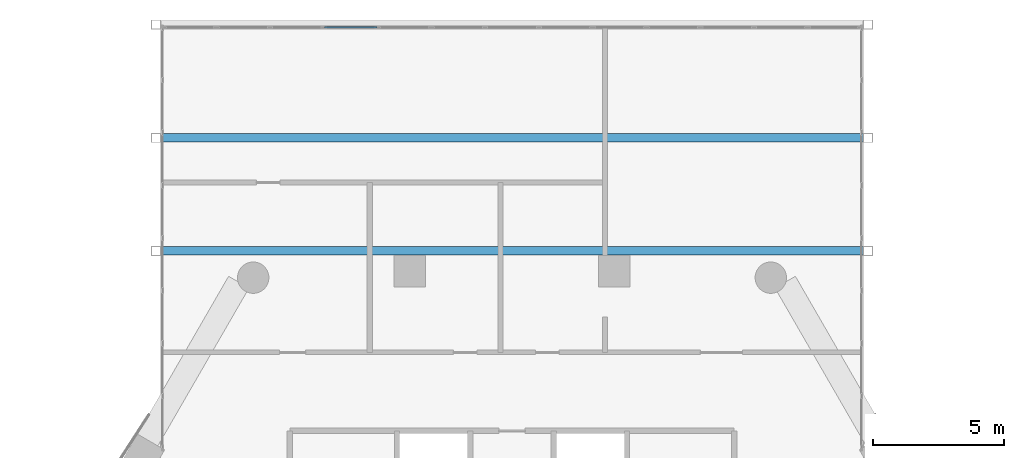
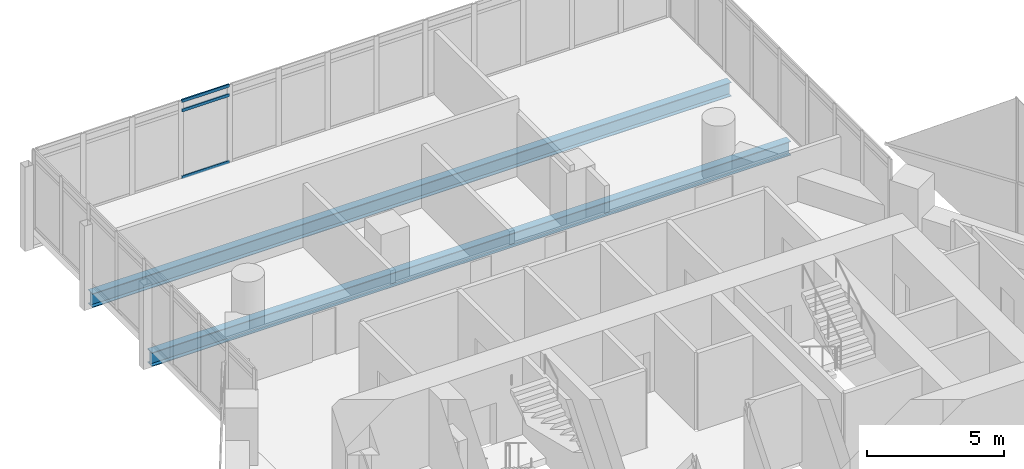
# One storey, part 17 of 36: 3 members, 2 beams, 1 element without a shape of its own.
"""IFC4 building model written with IfcOpenShell, lengths in metres."""

from ifc_helpers import new_model, si_unit, direction, frame, origin, origin_2d, place, context, subcontext, project, spatial, hollow_rectangle, i_section, extrude, material, material_profile, profile_set, type_object, element, aggregate, save


model = new_model("IFC4")

# Units and contexts
model_context = context("Model", 3, precision=1e-05, world=origin(), true_north=direction((0.0, 1.0)))
body_context = subcontext(model_context, "Body", "Model", "MODEL_VIEW")
ifc_project = project(units=[si_unit("LENGTHUNIT", "METRE"), si_unit("AREAUNIT", "SQUARE_METRE"), si_unit("VOLUMEUNIT", "CUBIC_METRE"), si_unit("PLANEANGLEUNIT", "RADIAN"), si_unit("MASSUNIT", "GRAM", prefix="KILO")], contexts=[model_context])

# Site, building, storey
site_placement = place(None, origin())
site = spatial("IfcSite", under=ifc_project, at=site_placement, CompositionType="ELEMENT")
building_placement = place(site_placement, origin())
building = spatial("IfcBuilding", under=site, at=building_placement, Name="Ostrander Bayou Hotel Tower", CompositionType="ELEMENT")
storey_placement = place(building_placement, frame((0.0, 0.0, 138.5)))
storey = spatial("IfcBuildingStorey", under=building, at=storey_placement, Name="L34", CompositionType="ELEMENT", Elevation=138.5)

# Curtain wall, members
ifc_material_1 = material(Name="Aluminium and clear glass", Category="aluminium")
curtain_wall_type = type_object("IfcCurtainWallType", Name="CW-BAR glazed wall", PredefinedType="NOTDEFINED", material=ifc_material_1)
curtain_wall_placement = place(storey_placement, origin())
curtain_wall = element("IfcCurtainWall", 1, at=curtain_wall_placement, inside=storey, type_object=curtain_wall_type, Name="CW-BAR L34:SB3N:T", PredefinedType="NOTDEFINED")
ifc_material_2 = material(Name="Aluminium", Category="aluminium")
ifc_material_profile_1 = material_profile(ifc_material_2, hollow_rectangle(XDim=0.06005859375, YDim=0.1298828125, WallThickness=0.00390625, at=origin_2d()))
ifc_profile_set_1 = profile_set([ifc_material_profile_1], Name="Aluminium")
member_type = type_object("IfcMemberType", Name="CW-BR transom 60 x 130 mm", PredefinedType="USERDEFINED", material=ifc_profile_set_1)
member_1_placement = place(storey_placement, frame((-7.167724609375, 29.037109375, 0.030029296875), z_axis=(1.0, 0.0, 0.0), x_axis=(0.0, 1.0, 0.0)))
member_1 = element("IfcMember", 2, at=member_1_placement, type_object=member_type, Name="CW-BAR transom 4.1", ObjectType="TRANSOM", PredefinedType="USERDEFINED", context=body_context, shape_type="SweptSolid", body=[
    extrude(hollow_rectangle(XDim=0.06005859375, YDim=0.1298828125, WallThickness=0.00390625, at=origin_2d()), origin(), (0.0, 0.0, 1.0), 1.99658203125),
])
member_2_placement = place(storey_placement, frame((-7.167724609375, 29.037109375, 3.0), z_axis=(1.0, 0.0, 0.0), x_axis=(0.0, 1.0, 0.0)))
member_2 = element("IfcMember", 3, at=member_2_placement, type_object=member_type, Name="CW-BAR transom 4.2", ObjectType="TRANSOM", PredefinedType="USERDEFINED", context=body_context, shape_type="SweptSolid", body=[
    extrude(hollow_rectangle(XDim=0.06005859375, YDim=0.1298828125, WallThickness=0.00390625, at=origin_2d()), origin(), (0.0, 0.0, 1.0), 1.99658203125),
])
member_3_placement = place(storey_placement, frame((-7.167724609375, 29.037109375, 3.419921875), z_axis=(1.0, 0.0, 0.0), x_axis=(0.0, 1.0, 0.0)))
member_3 = element("IfcMember", 4, at=member_3_placement, type_object=member_type, Name="CW-BAR transom 4.3", ObjectType="TRANSOM", PredefinedType="USERDEFINED", context=body_context, shape_type="SweptSolid", body=[
    extrude(hollow_rectangle(XDim=0.06005859375, YDim=0.1298828125, WallThickness=0.00390625, at=origin_2d()), origin(), (0.0, 0.0, 1.0), 1.99658203125),
])
aggregate(curtain_wall, [member_1, member_2, member_3])

# Beams
ifc_material_3 = material(Name="Steel ASTM A992", Category="steel")
ifc_material_profile_2 = material_profile(ifc_material_3, i_section(OverallWidth=0.32763671875, OverallDepth=0.621826171875, WebThickness=0.015380859375, FlangeThickness=0.0244140625, at=origin_2d()))
ifc_profile_set_2 = profile_set([ifc_material_profile_2], Name="Steel ASTM A992")
beam_type = type_object("IfcBeamType", Name="TF1 bar floor beam W24x131", PredefinedType="BEAM", material=ifc_profile_set_2)
for number, where, z_axis, x_axis, name in (
    (5, (-13.442138671875, 24.809326171875, -0.61083984375), (1.0, 0.0, 0.0), (0.0, 1.0, 0.0), "TF1 SB3W L3-2"),
    (6, (-13.442138671875, 20.481689453125, -0.61083984375), (1.0, 0.0, 0.0), (0.0, 1.0, 0.0), "TF1 SB3W L3-3"),
):
    element("IfcBeam", number, at=place(storey_placement, frame(where, z_axis=z_axis, x_axis=x_axis)), inside=storey, type_object=beam_type, Name=name, PredefinedType="BEAM", context=body_context, shape_type="SweptSolid", body=[
        extrude(i_section(OverallWidth=0.32763671875, OverallDepth=0.621826171875, WebThickness=0.015380859375, FlangeThickness=0.0244140625, at=origin_2d()), origin(), (0.0, 0.0, 1.0), 26.88427734375),
    ])

save(model, "model.ifc")
